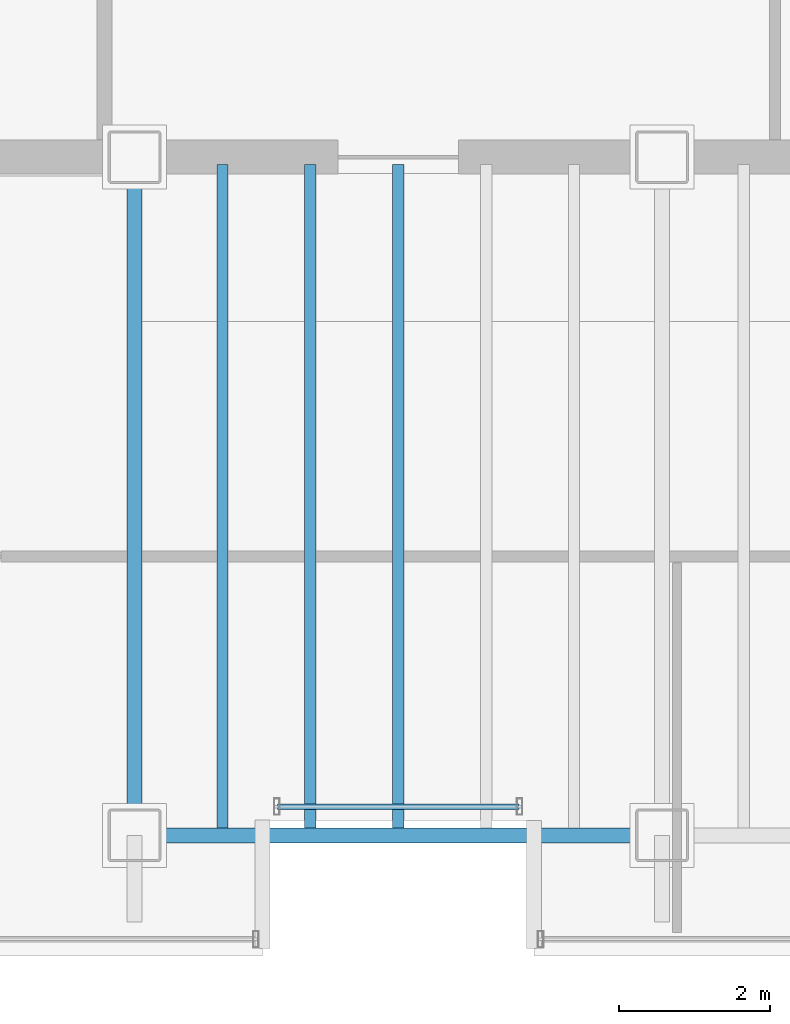
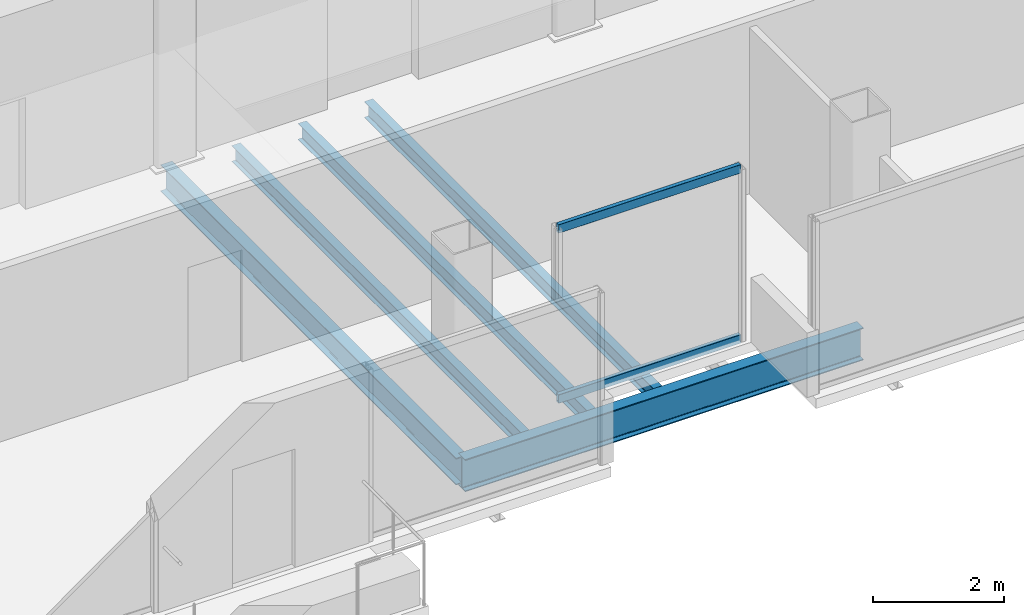
# One storey, part 3 of 17: 5 beams, 2 members, 1 element without a shape of its own.
"""IFC4 building model written with IfcOpenShell, lengths in metres."""

from ifc_helpers import new_model, si_unit, direction, frame, origin, origin_2d, place, context, subcontext, project, spatial, hollow_rectangle, i_section, extrude, material, material_profile, profile_set, type_object, element, aggregate, save


model = new_model("IFC4")

# Units and contexts
model_context = context("Model", 3, precision=1e-05, world=origin(), true_north=direction((0.0, 1.0)))
body_context = subcontext(model_context, "Body", "Model", "MODEL_VIEW")
ifc_project = project(units=[si_unit("LENGTHUNIT", "METRE"), si_unit("AREAUNIT", "SQUARE_METRE"), si_unit("VOLUMEUNIT", "CUBIC_METRE"), si_unit("PLANEANGLEUNIT", "RADIAN"), si_unit("MASSUNIT", "GRAM", prefix="KILO")], contexts=[model_context])

# Site, building, storey
site_placement = place(None, origin())
site = spatial("IfcSite", under=ifc_project, at=site_placement, CompositionType="ELEMENT")
building_placement = place(site_placement, origin())
building = spatial("IfcBuilding", under=site, at=building_placement, Name="Noeulbin Bourse Tower", CompositionType="ELEMENT")
storey_placement = place(building_placement, frame((0.0, 0.0, 285.199951171875)))
storey = spatial("IfcBuildingStorey", under=building, at=storey_placement, Name="L71", CompositionType="ELEMENT", Elevation=285.199951171875)

# Beams
ifc_material_1 = material(Name="Steel S355", Category="steel")
ifc_material_profile_1 = material_profile(ifc_material_1, i_section(OverallWidth=0.199951171875, OverallDepth=0.5, WebThickness=0.010009765625, FlangeThickness=0.01611328125, FilletRadius=0.02001953125, at=origin_2d()), Name="H-500x200x10x16", Category="LoadBearing")
ifc_profile_set_1 = profile_set([ifc_material_profile_1], Name="Steel S355")
beam_type_1 = type_object("IfcBeamType", Name="BM-GRD-500", PredefinedType="USERDEFINED", material=ifc_profile_set_1)
beam_1_placement = place(storey_placement, frame((24.0, 20.0, -0.429931640625), z_axis=(0.0, 1.0, 0.0), x_axis=(-1.0, 0.0, 0.0)))
element("IfcBeam", 1, at=beam_1_placement, inside=storey, type_object=beam_type_1, Name="Tower Primary Girder NS L71-2.2", ObjectType="GIRDER", PredefinedType="USERDEFINED", context=body_context, shape_type="SweptSolid", body=[
    extrude(i_section(OverallWidth=0.199951171875, OverallDepth=0.5, WebThickness=0.010009765625, FlangeThickness=0.01611328125, FilletRadius=0.02001953125, at=origin_2d()), origin(), (0.0, 0.0, 1.0), 9.0),
])
ifc_material_profile_2 = material_profile(ifc_material_1, i_section(OverallWidth=0.199951171875, OverallDepth=0.60009765625, WebThickness=0.010986328125, FlangeThickness=0.01708984375, FilletRadius=0.02197265625, at=origin_2d()), Name="H-600x200x11x17", Category="LoadBearing")
ifc_profile_set_2 = profile_set([ifc_material_profile_2], Name="Steel S355")
beam_type_2 = type_object("IfcBeamType", Name="BM-GRD-600", PredefinedType="USERDEFINED", material=ifc_profile_set_2)
beam_2_placement = place(storey_placement, frame((24.0, 20.0, -0.47998046875), z_axis=(1.0, 0.0, 0.0), x_axis=(0.0, 1.0, 0.0)))
element("IfcBeam", 2, at=beam_2_placement, inside=storey, type_object=beam_type_2, Name="Tower Primary Girder EW L71-1.1", ObjectType="GIRDER", PredefinedType="USERDEFINED", context=body_context, shape_type="SweptSolid", body=[
    extrude(i_section(OverallWidth=0.199951171875, OverallDepth=0.60009765625, WebThickness=0.010986328125, FlangeThickness=0.01708984375, FilletRadius=0.02197265625, at=origin_2d()), origin(), (0.0, 0.0, 1.0), 7.0),
])
ifc_material_profile_3 = material_profile(ifc_material_1, i_section(OverallWidth=0.14990234375, OverallDepth=0.300048828125, WebThickness=0.006591796875, FlangeThickness=0.009033203125, FilletRadius=0.012939453125, at=origin_2d()), Name="H-300x150x6.5x9", Category="LoadBearing")
ifc_profile_set_3 = profile_set([ifc_material_profile_3], Name="Steel S355")
beam_type_3 = type_object("IfcBeamType", Name="BM-JST-300", PredefinedType="JOIST", material=ifc_profile_set_3)
for number, where, z_axis, x_axis, name in (
    (3, (25.166748046875, 20.10009765625, -0.329833984375), (0.0, 1.0, 0.0), (-1.0, 0.0, 0.0), "Tower Composite Joist L71-01"),
    (4, (26.333251953125, 20.10009765625, -0.329833984375), (0.0, 1.0, 0.0), (-1.0, 0.0, 0.0), "Tower Composite Joist L71-03"),
    (5, (27.5, 20.10009765625, -0.329833984375), (0.0, 1.0, 0.0), (-1.0, 0.0, 0.0), "Tower Composite Joist L71-05"),
):
    element("IfcBeam", number, at=place(storey_placement, frame(where, z_axis=z_axis, x_axis=x_axis)), inside=storey, type_object=beam_type_3, Name=name, PredefinedType="JOIST", context=body_context, shape_type="SweptSolid", body=[
        extrude(i_section(OverallWidth=0.14990234375, OverallDepth=0.300048828125, WebThickness=0.006591796875, FlangeThickness=0.009033203125, FilletRadius=0.012939453125, at=origin_2d()), origin(), (0.0, 0.0, 1.0), 8.7998046875),
    ])

# Curtain wall, members
ifc_material_2 = material(Name="High-Selectivity Low-Iron Glazing", Category="glass")
curtain_wall_type = type_object("IfcCurtainWallType", Name="CW-SYS-4", PredefinedType="NOTDEFINED", material=ifc_material_2)
curtain_wall_placement = place(storey_placement, origin())
curtain_wall = element("IfcCurtainWall", 6, at=curtain_wall_placement, inside=storey, type_object=curtain_wall_type, Name="Unitised Curtain Wall CW-L71-SREC", PredefinedType="NOTDEFINED")
ifc_material_3 = material(Name="Anodised Aluminium 6063-T6", Category="aluminium")
ifc_material_profile_4 = material_profile(ifc_material_3, hollow_rectangle(XDim=0.074951171875, YDim=0.159912109375, WallThickness=0.0048828125, InnerFilletRadius=0.00244140625, OuterFilletRadius=0.0048828125, at=origin_2d()), Name="ALU-TRAN-75x160x5", Category="LoadBearing")
ifc_profile_set_4 = profile_set([ifc_material_profile_4], Name="Anodised Aluminium 6063-T6")
member_type = type_object("IfcMemberType", Name="CW-SYS-4-TRN", PredefinedType="USERDEFINED", material=ifc_profile_set_4)
member_1_placement = place(storey_placement, frame((25.89990234375, 20.3798828125, 0.010009765625), z_axis=(1.0, 0.0, 0.0), x_axis=(0.0, 1.0, 0.0)))
member_1 = element("IfcMember", 7, at=member_1_placement, type_object=member_type, Name="Curtain Wall Transom CW-L71-SREC-T00", ObjectType="TRANSOM", PredefinedType="USERDEFINED", context=body_context, shape_type="SweptSolid", body=[
    extrude(hollow_rectangle(XDim=0.074951171875, YDim=0.159912109375, WallThickness=0.0048828125, InnerFilletRadius=0.00244140625, OuterFilletRadius=0.0048828125, at=origin_2d()), origin(), (0.0, 0.0, 1.0), 3.2001953125),
])
member_2_placement = place(storey_placement, frame((25.89990234375, 20.3798828125, 3.170166015625), z_axis=(1.0, 0.0, 0.0), x_axis=(0.0, 1.0, 0.0)))
member_2 = element("IfcMember", 8, at=member_2_placement, type_object=member_type, Name="Curtain Wall Transom CW-L71-SREC-T01", ObjectType="TRANSOM", PredefinedType="USERDEFINED", context=body_context, shape_type="SweptSolid", body=[
    extrude(hollow_rectangle(XDim=0.074951171875, YDim=0.159912109375, WallThickness=0.0048828125, InnerFilletRadius=0.00244140625, OuterFilletRadius=0.0048828125, at=origin_2d()), origin(), (0.0, 0.0, 1.0), 3.2001953125),
])
aggregate(curtain_wall, [member_1, member_2])

save(model, "model.ifc")
